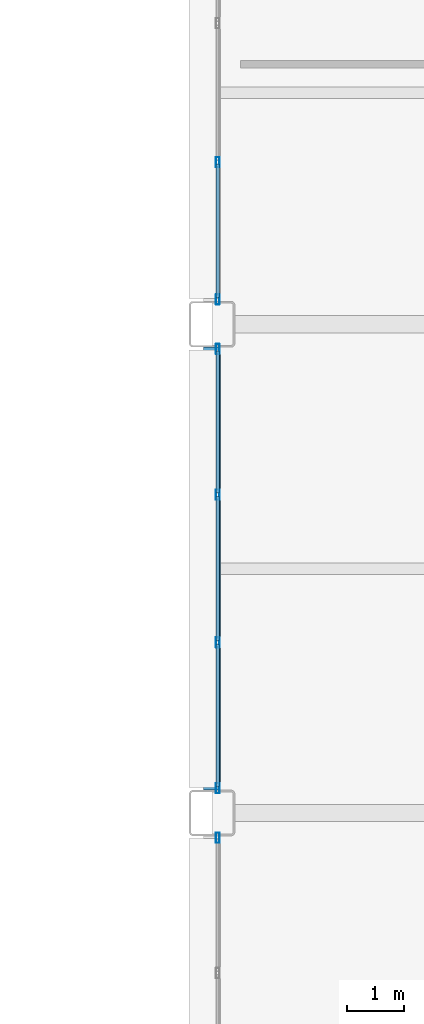
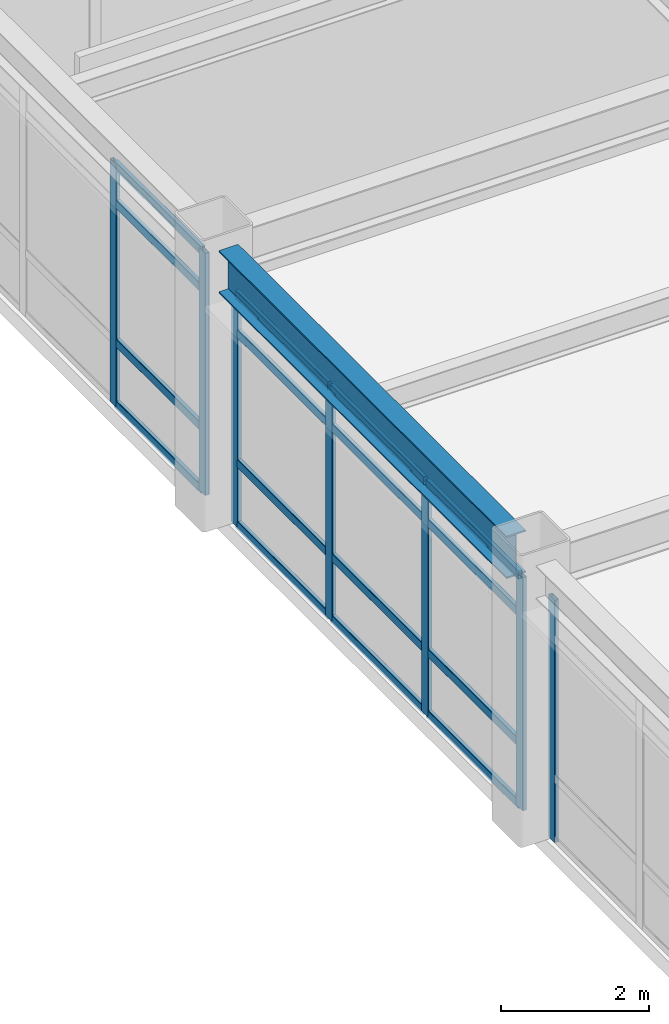
# One storey, part 107 of 154: 23 members, 1 beam, 3 elements without a shape of their own.
"""IFC4 building model written with IfcOpenShell, lengths in metres."""

from ifc_helpers import new_model, si_unit, direction, frame, origin, origin_2d, place, context, subcontext, project, spatial, hollow_rectangle, i_section, extrude, material, layer, layer_set, material_profile, profile_set, type_object, element, aggregate, save


model = new_model("IFC4")

# Units and contexts
model_context = context("Model", 3, precision=1e-05, world=origin(), true_north=direction((0.0, 1.0)))
body_context = subcontext(model_context, "Body", "Model", "MODEL_VIEW")
ifc_project = project(units=[si_unit("LENGTHUNIT", "METRE"), si_unit("AREAUNIT", "SQUARE_METRE"), si_unit("VOLUMEUNIT", "CUBIC_METRE"), si_unit("PLANEANGLEUNIT", "RADIAN"), si_unit("MASSUNIT", "GRAM", prefix="KILO")], contexts=[model_context])

# Site, building, storey
site_placement = place(None, origin())
site = spatial("IfcSite", under=ifc_project, at=site_placement, CompositionType="ELEMENT")
building_placement = place(site_placement, origin())
building = spatial("IfcBuilding", under=site, at=building_placement, Name="Kazehara Bluff Congress Hotel", CompositionType="ELEMENT")
storey_placement = place(building_placement, frame((0.0, 0.0, 10.199951171875)))
storey = spatial("IfcBuildingStorey", under=building, at=storey_placement, Name="L02", CompositionType="ELEMENT", Elevation=10.199951171875)

# Curtain wall, member
ifc_material_1 = material(Name="Anodised aluminium", Category="aluminium")
ifc_layer_1 = layer(ifc_material_1, 0.159912109375)
ifc_layer_set_1 = layer_set([ifc_layer_1], Name="Anodised aluminium")
curtain_wall_type_1 = type_object("IfcCurtainWallType", Name="TP-CW-120", PredefinedType="NOTDEFINED", material=ifc_layer_set_1)
curtain_wall_1_placement = place(storey_placement, origin())
curtain_wall_1 = element("IfcCurtainWall", 1, at=curtain_wall_1_placement, inside=storey, type_object=curtain_wall_type_1, Name="L02 curtain wall CW-120 CW-ENC-V5-L02-14380-9290", PredefinedType="NOTDEFINED")
ifc_material_2 = material(Name="Anodised aluminium", Category="aluminium")
ifc_material_profile_1 = material_profile(ifc_material_2, hollow_rectangle(XDim=0.06494140625, YDim=0.179931640625, WallThickness=0.00390625, InnerFilletRadius=0.00390625, OuterFilletRadius=0.008056640625, at=origin_2d()))
ifc_profile_set_1 = profile_set([ifc_material_profile_1], Name="Anodised aluminium")
member_type_1 = type_object("IfcMemberType", Name="TP-CWM-02", PredefinedType="MULLION", material=ifc_profile_set_1)
member_1_placement = place(storey_placement, frame((143.800048828125, 96.467529296875, 0.0), z_axis=(0.0, 0.0, 1.0), x_axis=(-1.0, 0.0, 0.0)))
member_1 = element("IfcMember", 2, at=member_1_placement, type_object=member_type_1, Name="CW-120 mullion 4", PredefinedType="MULLION", context=body_context, shape_type="SweptSolid", body=[
    extrude(hollow_rectangle(XDim=0.06494140625, YDim=0.179931640625, WallThickness=0.00390625, InnerFilletRadius=0.00390625, OuterFilletRadius=0.008056640625, at=origin_2d()), origin(), (0.0, 0.0, 1.0), 3.985107421875),
])
aggregate(curtain_wall_1, [member_1])

# Curtain wall, members
ifc_material_3 = material(Name="Anodised aluminium", Category="aluminium")
ifc_layer_2 = layer(ifc_material_3, 0.159912109375)
ifc_layer_set_2 = layer_set([ifc_layer_2], Name="Anodised aluminium")
curtain_wall_type_2 = type_object("IfcCurtainWallType", Name="TP-CW-123", PredefinedType="NOTDEFINED", material=ifc_layer_set_2)
curtain_wall_2_placement = place(storey_placement, origin())
curtain_wall_2 = element("IfcCurtainWall", 3, at=curtain_wall_2_placement, inside=storey, type_object=curtain_wall_type_2, Name="L02 curtain wall CW-123 CW-ENC-V5-L02-14380-10118", PredefinedType="NOTDEFINED")
member_2_placement = place(storey_placement, frame((143.800048828125, 97.33251953125, 0.0), z_axis=(0.0, 0.0, 1.0), x_axis=(-1.0, 0.0, 0.0)))
member_2 = element("IfcMember", 4, at=member_2_placement, type_object=member_type_1, Name="CW-123 mullion 1", PredefinedType="MULLION", context=body_context, shape_type="SweptSolid", body=[
    extrude(hollow_rectangle(XDim=0.06494140625, YDim=0.179931640625, WallThickness=0.00390625, InnerFilletRadius=0.00390625, OuterFilletRadius=0.008056640625, at=origin_2d()), origin(), (0.0, 0.0, 1.0), 3.8349609375),
])
member_3_placement = place(storey_placement, frame((143.800048828125, 99.88330078125, 0.0), z_axis=(0.0, 0.0, 1.0), x_axis=(-1.0, 0.0, 0.0)))
member_3 = element("IfcMember", 5, at=member_3_placement, type_object=member_type_1, Name="CW-123 mullion 2", PredefinedType="MULLION", context=body_context, shape_type="SweptSolid", body=[
    extrude(hollow_rectangle(XDim=0.06494140625, YDim=0.179931640625, WallThickness=0.00390625, InnerFilletRadius=0.00390625, OuterFilletRadius=0.008056640625, at=origin_2d()), origin(), (0.0, 0.0, 1.0), 3.8349609375),
])
member_4_placement = place(storey_placement, frame((143.800048828125, 102.466552734375, 0.0), z_axis=(0.0, 0.0, 1.0), x_axis=(-1.0, 0.0, 0.0)))
member_4 = element("IfcMember", 6, at=member_4_placement, type_object=member_type_1, Name="CW-123 mullion 3", PredefinedType="MULLION", context=body_context, shape_type="SweptSolid", body=[
    extrude(hollow_rectangle(XDim=0.06494140625, YDim=0.179931640625, WallThickness=0.00390625, InnerFilletRadius=0.00390625, OuterFilletRadius=0.008056640625, at=origin_2d()), origin(), (0.0, 0.0, 1.0), 3.8349609375),
])
member_5_placement = place(storey_placement, frame((143.800048828125, 105.017578125, 0.0), z_axis=(0.0, 0.0, 1.0), x_axis=(-1.0, 0.0, 0.0)))
member_5 = element("IfcMember", 7, at=member_5_placement, type_object=member_type_1, Name="CW-123 mullion 4", PredefinedType="MULLION", context=body_context, shape_type="SweptSolid", body=[
    extrude(hollow_rectangle(XDim=0.06494140625, YDim=0.179931640625, WallThickness=0.00390625, InnerFilletRadius=0.00390625, OuterFilletRadius=0.008056640625, at=origin_2d()), origin(), (0.0, 0.0, 1.0), 3.8349609375),
])

ifc_material_4 = material(Name="Anodised aluminium", Category="aluminium")
ifc_layer_3 = layer(ifc_material_4, 0.159912109375)
ifc_layer_set_3 = layer_set([ifc_layer_3], Name="Anodised aluminium")
curtain_wall_type_3 = type_object("IfcCurtainWallType", Name="TP-CW-124", PredefinedType="NOTDEFINED", material=ifc_layer_set_3)
curtain_wall_3_placement = place(storey_placement, origin())
curtain_wall_3 = element("IfcCurtainWall", 8, at=curtain_wall_3_placement, inside=storey, type_object=curtain_wall_type_3, Name="L02 curtain wall CW-124 CW-ENC-V5-L02-14380-10950", PredefinedType="NOTDEFINED")
member_6_placement = place(storey_placement, frame((143.800048828125, 105.882568359375, 0.0), z_axis=(0.0, 0.0, 1.0), x_axis=(-1.0, 0.0, 0.0)))
member_6 = element("IfcMember", 9, at=member_6_placement, type_object=member_type_1, Name="CW-124 mullion 1", PredefinedType="MULLION", context=body_context, shape_type="SweptSolid", body=[
    extrude(hollow_rectangle(XDim=0.06494140625, YDim=0.179931640625, WallThickness=0.00390625, InnerFilletRadius=0.00390625, OuterFilletRadius=0.008056640625, at=origin_2d()), origin(), (0.0, 0.0, 1.0), 3.985107421875),
])
member_7_placement = place(storey_placement, frame((143.800048828125, 108.283447265625, 0.0), z_axis=(0.0, 0.0, 1.0), x_axis=(-1.0, 0.0, 0.0)))
member_7 = element("IfcMember", 10, at=member_7_placement, type_object=member_type_1, Name="CW-124 mullion 2", PredefinedType="MULLION", context=body_context, shape_type="SweptSolid", body=[
    extrude(hollow_rectangle(XDim=0.06494140625, YDim=0.179931640625, WallThickness=0.00390625, InnerFilletRadius=0.00390625, OuterFilletRadius=0.008056640625, at=origin_2d()), origin(), (0.0, 0.0, 1.0), 3.985107421875),
])

# Member
ifc_material_5 = material(Name="Anodised aluminium", Category="aluminium")
ifc_material_profile_2 = material_profile(ifc_material_5, hollow_rectangle(XDim=0.06494140625, YDim=0.139892578125, WallThickness=0.00390625, InnerFilletRadius=0.00390625, OuterFilletRadius=0.008056640625, at=origin_2d()))
ifc_profile_set_2 = profile_set([ifc_material_profile_2], Name="Anodised aluminium")
member_type_2 = type_object("IfcMemberType", Name="TP-CWT-02", PredefinedType="USERDEFINED", material=ifc_profile_set_2)
member_8_placement = place(storey_placement, frame((143.800048828125, 97.364990234375, 0.032470703125), z_axis=(0.0, 1.0, 0.0), x_axis=(-1.0, 0.0, 0.0)))
member_8 = element("IfcMember", 11, at=member_8_placement, type_object=member_type_2, Name="CW-123 transom 1.1", ObjectType="TRANSOM", PredefinedType="USERDEFINED", context=body_context, shape_type="SweptSolid", body=[
    extrude(hollow_rectangle(XDim=0.06494140625, YDim=0.139892578125, WallThickness=0.00390625, InnerFilletRadius=0.00390625, OuterFilletRadius=0.008056640625, at=origin_2d()), origin(), (0.0, 0.0, 1.0), 2.48583984375),
])

member_9_placement = place(storey_placement, frame((143.800048828125, 97.364990234375, 1.050048828125), z_axis=(0.0, 1.0, 0.0), x_axis=(-1.0, 0.0, 0.0)))
member_9 = element("IfcMember", 12, at=member_9_placement, type_object=member_type_2, Name="CW-123 transom 1.2", ObjectType="TRANSOM", PredefinedType="USERDEFINED", context=body_context, shape_type="SweptSolid", body=[
    extrude(hollow_rectangle(XDim=0.06494140625, YDim=0.139892578125, WallThickness=0.00390625, InnerFilletRadius=0.00390625, OuterFilletRadius=0.008056640625, at=origin_2d()), origin(), (0.0, 0.0, 1.0), 2.48583984375),
])

member_10_placement = place(storey_placement, frame((143.800048828125, 97.364990234375, 3.18505859375), z_axis=(0.0, 1.0, 0.0), x_axis=(-1.0, 0.0, 0.0)))
member_10 = element("IfcMember", 13, at=member_10_placement, type_object=member_type_2, Name="CW-123 transom 1.3", ObjectType="TRANSOM", PredefinedType="USERDEFINED", context=body_context, shape_type="SweptSolid", body=[
    extrude(hollow_rectangle(XDim=0.06494140625, YDim=0.139892578125, WallThickness=0.00390625, InnerFilletRadius=0.00390625, OuterFilletRadius=0.008056640625, at=origin_2d()), origin(), (0.0, 0.0, 1.0), 2.48583984375),
])

member_11_placement = place(storey_placement, frame((143.800048828125, 97.364990234375, 3.802490234375), z_axis=(0.0, 1.0, 0.0), x_axis=(-1.0, 0.0, 0.0)))
member_11 = element("IfcMember", 14, at=member_11_placement, type_object=member_type_2, Name="CW-123 transom 1.4", ObjectType="TRANSOM", PredefinedType="USERDEFINED", context=body_context, shape_type="SweptSolid", body=[
    extrude(hollow_rectangle(XDim=0.06494140625, YDim=0.139892578125, WallThickness=0.00390625, InnerFilletRadius=0.00390625, OuterFilletRadius=0.008056640625, at=origin_2d()), origin(), (0.0, 0.0, 1.0), 2.48583984375),
])

member_12_placement = place(storey_placement, frame((143.800048828125, 99.915771484375, 0.032470703125), z_axis=(0.0, 1.0, 0.0), x_axis=(-1.0, 0.0, 0.0)))
member_12 = element("IfcMember", 15, at=member_12_placement, type_object=member_type_2, Name="CW-123 transom 2.1", ObjectType="TRANSOM", PredefinedType="USERDEFINED", context=body_context, shape_type="SweptSolid", body=[
    extrude(hollow_rectangle(XDim=0.06494140625, YDim=0.139892578125, WallThickness=0.00390625, InnerFilletRadius=0.00390625, OuterFilletRadius=0.008056640625, at=origin_2d()), origin(), (0.0, 0.0, 1.0), 2.518310546875),
])

member_13_placement = place(storey_placement, frame((143.800048828125, 99.915771484375, 1.050048828125), z_axis=(0.0, 1.0, 0.0), x_axis=(-1.0, 0.0, 0.0)))
member_13 = element("IfcMember", 16, at=member_13_placement, type_object=member_type_2, Name="CW-123 transom 2.2", ObjectType="TRANSOM", PredefinedType="USERDEFINED", context=body_context, shape_type="SweptSolid", body=[
    extrude(hollow_rectangle(XDim=0.06494140625, YDim=0.139892578125, WallThickness=0.00390625, InnerFilletRadius=0.00390625, OuterFilletRadius=0.008056640625, at=origin_2d()), origin(), (0.0, 0.0, 1.0), 2.518310546875),
])

member_14_placement = place(storey_placement, frame((143.800048828125, 99.915771484375, 3.18505859375), z_axis=(0.0, 1.0, 0.0), x_axis=(-1.0, 0.0, 0.0)))
member_14 = element("IfcMember", 17, at=member_14_placement, type_object=member_type_2, Name="CW-123 transom 2.3", ObjectType="TRANSOM", PredefinedType="USERDEFINED", context=body_context, shape_type="SweptSolid", body=[
    extrude(hollow_rectangle(XDim=0.06494140625, YDim=0.139892578125, WallThickness=0.00390625, InnerFilletRadius=0.00390625, OuterFilletRadius=0.008056640625, at=origin_2d()), origin(), (0.0, 0.0, 1.0), 2.518310546875),
])

member_15_placement = place(storey_placement, frame((143.800048828125, 99.915771484375, 3.802490234375), z_axis=(0.0, 1.0, 0.0), x_axis=(-1.0, 0.0, 0.0)))
member_15 = element("IfcMember", 18, at=member_15_placement, type_object=member_type_2, Name="CW-123 transom 2.4", ObjectType="TRANSOM", PredefinedType="USERDEFINED", context=body_context, shape_type="SweptSolid", body=[
    extrude(hollow_rectangle(XDim=0.06494140625, YDim=0.139892578125, WallThickness=0.00390625, InnerFilletRadius=0.00390625, OuterFilletRadius=0.008056640625, at=origin_2d()), origin(), (0.0, 0.0, 1.0), 2.518310546875),
])

member_16_placement = place(storey_placement, frame((143.800048828125, 102.499267578125, 0.032470703125), z_axis=(0.0, 1.0, 0.0), x_axis=(-1.0, 0.0, 0.0)))
member_16 = element("IfcMember", 19, at=member_16_placement, type_object=member_type_2, Name="CW-123 transom 3.1", ObjectType="TRANSOM", PredefinedType="USERDEFINED", context=body_context, shape_type="SweptSolid", body=[
    extrude(hollow_rectangle(XDim=0.06494140625, YDim=0.139892578125, WallThickness=0.00390625, InnerFilletRadius=0.00390625, OuterFilletRadius=0.008056640625, at=origin_2d()), origin(), (0.0, 0.0, 1.0), 2.48583984375),
])

member_17_placement = place(storey_placement, frame((143.800048828125, 102.499267578125, 1.050048828125), z_axis=(0.0, 1.0, 0.0), x_axis=(-1.0, 0.0, 0.0)))
member_17 = element("IfcMember", 20, at=member_17_placement, type_object=member_type_2, Name="CW-123 transom 3.2", ObjectType="TRANSOM", PredefinedType="USERDEFINED", context=body_context, shape_type="SweptSolid", body=[
    extrude(hollow_rectangle(XDim=0.06494140625, YDim=0.139892578125, WallThickness=0.00390625, InnerFilletRadius=0.00390625, OuterFilletRadius=0.008056640625, at=origin_2d()), origin(), (0.0, 0.0, 1.0), 2.48583984375),
])

member_18_placement = place(storey_placement, frame((143.800048828125, 102.499267578125, 3.18505859375), z_axis=(0.0, 1.0, 0.0), x_axis=(-1.0, 0.0, 0.0)))
member_18 = element("IfcMember", 21, at=member_18_placement, type_object=member_type_2, Name="CW-123 transom 3.3", ObjectType="TRANSOM", PredefinedType="USERDEFINED", context=body_context, shape_type="SweptSolid", body=[
    extrude(hollow_rectangle(XDim=0.06494140625, YDim=0.139892578125, WallThickness=0.00390625, InnerFilletRadius=0.00390625, OuterFilletRadius=0.008056640625, at=origin_2d()), origin(), (0.0, 0.0, 1.0), 2.48583984375),
])

member_19_placement = place(storey_placement, frame((143.800048828125, 102.499267578125, 3.802490234375), z_axis=(0.0, 1.0, 0.0), x_axis=(-1.0, 0.0, 0.0)))
member_19 = element("IfcMember", 22, at=member_19_placement, type_object=member_type_2, Name="CW-123 transom 3.4", ObjectType="TRANSOM", PredefinedType="USERDEFINED", context=body_context, shape_type="SweptSolid", body=[
    extrude(hollow_rectangle(XDim=0.06494140625, YDim=0.139892578125, WallThickness=0.00390625, InnerFilletRadius=0.00390625, OuterFilletRadius=0.008056640625, at=origin_2d()), origin(), (0.0, 0.0, 1.0), 2.48583984375),
])

aggregate(curtain_wall_2, [member_2, member_3, member_4, member_5, member_8, member_9, member_10, member_11, member_12, member_13, member_14, member_15, member_16, member_17, member_18, member_19])

member_20_placement = place(storey_placement, frame((143.800048828125, 105.9150390625, 0.032470703125), z_axis=(0.0, 1.0, 0.0), x_axis=(-1.0, 0.0, 0.0)))
member_20 = element("IfcMember", 23, at=member_20_placement, type_object=member_type_2, Name="CW-124 transom 1.1", ObjectType="TRANSOM", PredefinedType="USERDEFINED", context=body_context, shape_type="SweptSolid", body=[
    extrude(hollow_rectangle(XDim=0.06494140625, YDim=0.139892578125, WallThickness=0.00390625, InnerFilletRadius=0.00390625, OuterFilletRadius=0.008056640625, at=origin_2d()), origin(), (0.0, 0.0, 1.0), 2.335693359375),
])

member_21_placement = place(storey_placement, frame((143.800048828125, 105.9150390625, 1.050048828125), z_axis=(0.0, 1.0, 0.0), x_axis=(-1.0, 0.0, 0.0)))
member_21 = element("IfcMember", 24, at=member_21_placement, type_object=member_type_2, Name="CW-124 transom 1.2", ObjectType="TRANSOM", PredefinedType="USERDEFINED", context=body_context, shape_type="SweptSolid", body=[
    extrude(hollow_rectangle(XDim=0.06494140625, YDim=0.139892578125, WallThickness=0.00390625, InnerFilletRadius=0.00390625, OuterFilletRadius=0.008056640625, at=origin_2d()), origin(), (0.0, 0.0, 1.0), 2.335693359375),
])

member_22_placement = place(storey_placement, frame((143.800048828125, 105.9150390625, 3.3349609375), z_axis=(0.0, 1.0, 0.0), x_axis=(-1.0, 0.0, 0.0)))
member_22 = element("IfcMember", 25, at=member_22_placement, type_object=member_type_2, Name="CW-124 transom 1.3", ObjectType="TRANSOM", PredefinedType="USERDEFINED", context=body_context, shape_type="SweptSolid", body=[
    extrude(hollow_rectangle(XDim=0.06494140625, YDim=0.139892578125, WallThickness=0.00390625, InnerFilletRadius=0.00390625, OuterFilletRadius=0.008056640625, at=origin_2d()), origin(), (0.0, 0.0, 1.0), 2.335693359375),
])

member_23_placement = place(storey_placement, frame((143.800048828125, 105.9150390625, 3.95263671875), z_axis=(0.0, 1.0, 0.0), x_axis=(-1.0, 0.0, 0.0)))
member_23 = element("IfcMember", 26, at=member_23_placement, type_object=member_type_2, Name="CW-124 transom 1.4", ObjectType="TRANSOM", PredefinedType="USERDEFINED", context=body_context, shape_type="SweptSolid", body=[
    extrude(hollow_rectangle(XDim=0.06494140625, YDim=0.139892578125, WallThickness=0.00390625, InnerFilletRadius=0.00390625, OuterFilletRadius=0.008056640625, at=origin_2d()), origin(), (0.0, 0.0, 1.0), 2.335693359375),
])

aggregate(curtain_wall_3, [member_6, member_7, member_20, member_21, member_22, member_23])

# Beam
ifc_material_6 = material(Name="Steel SN490B", Category="steel")
ifc_material_profile_3 = material_profile(ifc_material_6, i_section(OverallWidth=0.300048828125, OverallDepth=0.699951171875, WebThickness=0.012939453125, FlangeThickness=0.02392578125, FilletRadius=0.01806640625, at=origin_2d()))
ifc_profile_set_3 = profile_set([ifc_material_profile_3], Name="Steel SN490B")
beam_type = type_object("IfcBeamType", Name="TP-SP-03", PredefinedType="SPANDREL", material=ifc_profile_set_3)
beam_placement = place(storey_placement, frame((143.699951171875, 97.300048828125, 4.2099609375), z_axis=(0.0, 1.0, 0.0), x_axis=(-1.0, 0.0, 0.0)))
element("IfcBeam", 27, at=beam_placement, inside=storey, type_object=beam_type, Name="L02 girder SP-03 149", PredefinedType="SPANDREL", context=body_context, shape_type="SweptSolid", body=[
    extrude(i_section(OverallWidth=0.300048828125, OverallDepth=0.699951171875, WebThickness=0.012939453125, FlangeThickness=0.02392578125, FilletRadius=0.01806640625, at=origin_2d()), origin(), (0.0, 0.0, 1.0), 7.75),
])

save(model, "model.ifc")
